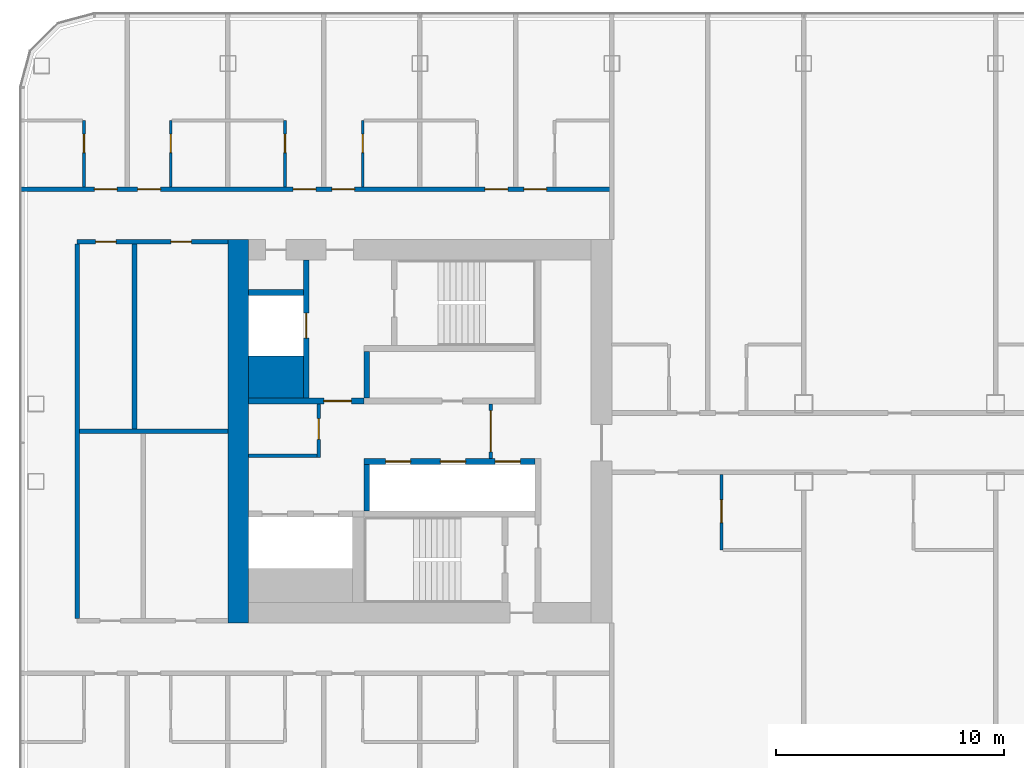
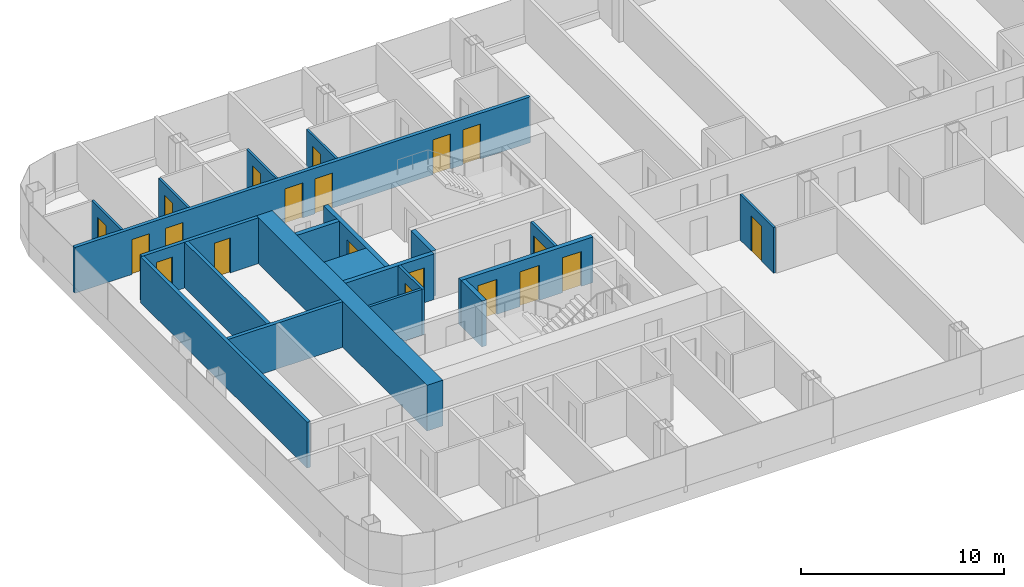
# One storey, part 13 of 26: 21 walls, 20 doors, 20 openings.
"""IFC4 building model written with IfcOpenShell, lengths in metres."""

import ifcopenshell
import ifcopenshell.guid

model = None  # the IFC model being written
_history = None  # IfcOwnerHistory: only IFC2X3 demands one
_inside = {}  # id of a spatial element -> (the spatial element, [elements in it])
_under = {}  # id of a project, library or spatial element -> (it, [spatial elements below it])
_declared = {}  # id of a project -> (the project, [libraries it declares])
_typed = {}  # id of a type object -> (the type object, [elements of that type])
_made_of = {}  # id of a material, layer set ... -> (it, [elements and type objects made of it])


def new_model(schema):
    """Start an empty IFC model of exactly this schema.

    Asked for "IFC4X3", IfcOpenShell would pick the latest addendum, in which some entities
    have other attributes; the version numbers below select the first issue.
    IFC2X3 requires an IfcOwnerHistory on every rooted entity: one is made here for all.
    """
    global model, _history
    if schema == "IFC4X3":
        model = ifcopenshell.file(schema_version=(4, 3, 0, 0))
    else:
        model = ifcopenshell.file(schema=schema)
    _inside.clear()
    _under.clear()
    _declared.clear()
    _typed.clear()
    _made_of.clear()
    _history = None
    if model.schema == "IFC2X3":
        org = make("IfcOrganization", Name="unknown")
        user = make(
            "IfcPersonAndOrganization",
            ThePerson=make("IfcPerson", FamilyName="unknown"),
            TheOrganization=org,
        )
        app = make(
            "IfcApplication",
            ApplicationDeveloper=org,
            Version="unknown",
            ApplicationFullName="unknown",
            ApplicationIdentifier="unknown",
        )
        _history = make(
            "IfcOwnerHistory",
            OwningUser=user,
            OwningApplication=app,
            ChangeAction="ADDED",
            CreationDate=0,
        )
    return model


def make(cls, **values):
    """One entity of the class cls with the attributes given. An attribute that is None is left unset."""
    return model.create_entity(
        cls, **{name: value for name, value in values.items() if value is not None}
    )


def rooted(cls, **values):
    """An entity with a GlobalId (a new one), such as an element, a storey or a relation."""
    return make(cls, GlobalId=ifcopenshell.guid.new(), OwnerHistory=_history, **values)


def si_unit(unit_type, name, prefix=None):
    """IfcSIUnit, for example si_unit("LENGTHUNIT", "METRE", prefix="MILLI")."""
    return make("IfcSIUnit", UnitType=unit_type, Prefix=prefix, Name=name)


def assignment(units):
    """IfcUnitAssignment: the units of a project."""
    return None if units is None else make("IfcUnitAssignment", Units=units)


def point(xyz):
    """IfcCartesianPoint."""
    return None if xyz is None else make("IfcCartesianPoint", Coordinates=xyz)


def direction(xyz):
    """IfcDirection."""
    return None if xyz is None else make("IfcDirection", DirectionRatios=xyz)


def frame(location, z_axis=None, x_axis=None):
    """IfcAxis2Placement3D, a coordinate frame: its origin and axes. An axis left out is left unset."""
    return make(
        "IfcAxis2Placement3D",
        Location=point(location),
        Axis=direction(z_axis),
        RefDirection=direction(x_axis),
    )


def frame_2d(location, x_axis=None):
    """IfcAxis2Placement2D, a coordinate frame in the plane: its origin and x axis."""
    return make(
        "IfcAxis2Placement2D", Location=point(location), RefDirection=direction(x_axis)
    )


def origin():
    """The frame at (0, 0, 0) with its axes left unset."""
    return frame((0.0, 0.0, 0.0))


def place(relative_to, where):
    """IfcLocalPlacement: puts the frame where relative to a parent placement (None: the world)."""
    return make(
        "IfcLocalPlacement", PlacementRelTo=relative_to, RelativePlacement=where
    )


def context(
    kind, dimensions, precision=None, world=None, true_north=None, identifier=None
):
    """IfcGeometricRepresentationContext, for example the 3D "Model" context."""
    return make(
        "IfcGeometricRepresentationContext",
        ContextIdentifier=identifier,
        ContextType=kind,
        CoordinateSpaceDimension=dimensions,
        Precision=precision,
        WorldCoordinateSystem=world,
        TrueNorth=true_north,
    )


def subcontext(parent, identifier, kind, view, scale=None):
    """IfcGeometricRepresentationSubContext, for example "Body" below "Model"."""
    return make(
        "IfcGeometricRepresentationSubContext",
        ContextIdentifier=identifier,
        ContextType=kind,
        ParentContext=parent,
        TargetScale=scale,
        TargetView=view,
    )


def project(units=None, contexts=None):
    """IfcProject with its units and contexts."""
    return rooted(
        "IfcProject",
        Name="project",
        RepresentationContexts=contexts,
        UnitsInContext=assignment(units),
    )


def spatial(cls, under=None, at=None, **own):
    """A site, building, storey or space (cls), placed at a placement, below another one or the project."""
    s = rooted(cls, ObjectPlacement=at, **own)
    if under is not None:
        _under.setdefault(under.id(), (under, []))[1].append(s)
    return s


def profile(cls, at=None, kind="AREA", **sizes):
    """A parametric profile (cls). Its sizes go by their IFC names, for example OverallWidth=200.0."""
    return make(cls, ProfileType=kind, Position=at, **sizes)


def rectangle(**sizes):
    """IfcRectangleProfileDef."""
    return profile("IfcRectangleProfileDef", **sizes)


def extrude(swept, where, along, depth):
    """IfcExtrudedAreaSolid: the profile swept, set in the frame where, extruded along a direction by depth."""
    return make(
        "IfcExtrudedAreaSolid",
        SweptArea=swept,
        Position=where,
        ExtrudedDirection=direction(along),
        Depth=depth,
    )


def shape(context_of_items, identifier, shape_type, items):
    """IfcShapeRepresentation: the items that make up one representation, for example the "Body"."""
    return make(
        "IfcShapeRepresentation",
        ContextOfItems=context_of_items,
        RepresentationIdentifier=identifier,
        RepresentationType=shape_type,
        Items=items,
    )


def material(Name=None, Category=None):
    """IfcMaterial."""
    return make("IfcMaterial", Name=Name, Category=Category)


def layer(
    of_material, thickness, ventilated=None, Name=None, Category=None, Priority=None
):
    """IfcMaterialLayer: one layer of a wall or slab, of a material (None: an air gap)."""
    return make(
        "IfcMaterialLayer",
        Material=of_material,
        LayerThickness=thickness,
        IsVentilated=ventilated,
        Name=Name,
        Category=Category,
        Priority=Priority,
    )


def layer_set(layers, Name=None):
    """IfcMaterialLayerSet."""
    return make("IfcMaterialLayerSet", MaterialLayers=layers, LayerSetName=Name)


def made_of(thing, what):
    """Note that an element or type object is made of a material, layer set ...; save() writes the relation."""
    if what is not None:
        _made_of.setdefault(what.id(), (what, []))[1].append(thing)
    return thing


def type_object(cls, material=None, **own):
    """A type object (cls), such as IfcWallType, which elements share."""
    return made_of(rooted(cls, **own), material)


def element(
    cls,
    number,
    at=None,
    inside=None,
    cuts=None,
    type_object=None,
    material=None,
    context=None,
    identifier="Body",
    shape_type=None,
    held_by="IfcProductDefinitionShape",
    body=None,
    shapes=None,
    **own,
):
    """One element of the class cls, such as IfcWall. Its Tag is "e" and its number.

    at: its placement. inside: the storey or other place that contains it. cuts: it is an
    opening in that element (IfcRelVoidsElement). A single representation is given by context,
    identifier, shape_type and body (its items); several are given by shapes. held_by: the class
    of the entity that holds the representations. save() writes the other relations.
    """
    e = rooted(cls, Tag="e%d" % number, ObjectPlacement=at, **own)
    if body is not None:
        shapes = [shape(context, identifier, shape_type, body)]
    if shapes is not None:
        e.Representation = make(held_by, Representations=shapes)
    if inside is not None:
        _inside.setdefault(inside.id(), (inside, []))[1].append(e)
    if cuts is not None:
        rooted(
            "IfcRelVoidsElement", RelatingBuildingElement=cuts, RelatedOpeningElement=e
        )
    if type_object is not None:
        _typed.setdefault(type_object.id(), (type_object, []))[1].append(e)
    return made_of(e, material)


def fill(opening, filler):
    """IfcRelFillsElement: the door or window that sits in an opening."""
    return rooted(
        "IfcRelFillsElement",
        RelatingOpeningElement=opening,
        RelatedBuildingElement=filler,
    )


def aggregate(whole, parts):
    """IfcRelAggregates: a whole, such as a stair, and the parts it consists of."""
    return rooted("IfcRelAggregates", RelatingObject=whole, RelatedObjects=parts)


def save(model, path):
    """Write the relations noted so far, then the file.

    IfcRelAggregates (storeys below a building ...), IfcRelContainedInSpatialStructure (elements
    in a storey), IfcRelDefinesByType, IfcRelAssociatesMaterial and IfcRelDeclares: one each for
    every whole, place, type object, material and project.
    """
    for whole, parts in _under.values():
        aggregate(whole, parts)
    for where, things in _inside.values():
        rooted(
            "IfcRelContainedInSpatialStructure",
            RelatedElements=things,
            RelatingStructure=where,
        )
    for kind, things in _typed.values():
        rooted("IfcRelDefinesByType", RelatedObjects=things, RelatingType=kind)
    for what, things in _made_of.values():
        rooted("IfcRelAssociatesMaterial", RelatedObjects=things, RelatingMaterial=what)
    for by, libraries in _declared.values():
        rooted("IfcRelDeclares", RelatingContext=by, RelatedDefinitions=libraries)
    model.write(path)


model = new_model("IFC4")

# Units and contexts
model_context = context("Model", 3, precision=1e-05, world=origin(), true_north=direction((0.0, 1.0)))
body_context = subcontext(model_context, "Body", "Model", "MODEL_VIEW")
ifc_project = project(units=[si_unit("LENGTHUNIT", "METRE"), si_unit("AREAUNIT", "SQUARE_METRE"), si_unit("VOLUMEUNIT", "CUBIC_METRE"), si_unit("PLANEANGLEUNIT", "RADIAN"), si_unit("MASSUNIT", "GRAM", prefix="KILO")], contexts=[model_context])

# Site, building, storey
site_placement = place(None, origin())
site = spatial("IfcSite", under=ifc_project, at=site_placement, CompositionType="ELEMENT")
building_placement = place(site_placement, origin())
building = spatial("IfcBuilding", under=site, at=building_placement, Name="Hakoniwa Tower and Hamabe Station Hall", CompositionType="ELEMENT")
storey_placement = place(building_placement, frame((0.0, 0.0, 134.199951171875)))
storey = spatial("IfcBuildingStorey", under=building, at=storey_placement, Name="L37", CompositionType="ELEMENT", Elevation=134.199951171875)

# Wall, opening, door
ifc_material_1 = material(Name="Gypsum board partition", Category="gypsum")
ifc_layer_1 = layer(ifc_material_1, 0.125)
ifc_layer_set_1 = layer_set([ifc_layer_1], Name="Bathroom Partition 125")
wall_type_1 = type_object("IfcWallType", Name="Bathroom Partition 125", PredefinedType="PARTITIONING", material=ifc_layer_set_1)
wall_1_placement = place(storey_placement, frame((-39.89990234375, 10.699951171875, 0.0), z_axis=(0.0, 0.0, 1.0), x_axis=(0.0, 1.0, 0.0)))
wall_1 = element("IfcWall", 1, at=wall_1_placement, inside=storey, type_object=wall_type_1, Name="GW-L37-036", PredefinedType="PARTITIONING", context=body_context, shape_type="SweptSolid", body=[
    extrude(rectangle(XDim=2.900146484375, YDim=0.125, at=frame_2d((1.4501953125, 0.0))), origin(), (0.0, 0.0, 1.0), 2.75),
])
opening_1_placement = place(wall_1_placement, frame((1.5, 0.0, 0.0)))
opening_1 = element("IfcOpeningElement", 2, at=opening_1_placement, cuts=wall_1, Name="Opening GD-G3B0-44", PredefinedType="OPENING", context=body_context, shape_type="SweptSolid", body=[
    extrude(rectangle(XDim=0.800048828125, YDim=2.10009765625, at=frame_2d((0.39990234375, 1.050048828125))), frame((0.0, 0.072509765625, 0.0), z_axis=(0.0, -1.0, 0.0), x_axis=(1.0, 0.0, 0.0)), (0.0, 0.0, 1.0), 0.14501953125),
])
ifc_material_2 = material(Name="Timber door leaf", Category="wood")
door_type_1 = type_object("IfcDoorType", Name="Bathroom Door 800", OperationType="SINGLE_SWING_LEFT", PredefinedType="DOOR", material=ifc_material_2)
door_1_placement = place(opening_1_placement, origin())
door_1 = element("IfcDoor", 3, at=door_1_placement, inside=storey, type_object=door_type_1, Name="Door GD-G3B0-44", OperationType="SINGLE_SWING_LEFT", OverallHeight=2.10009765625, OverallWidth=0.800048828125, PredefinedType="DOOR", context=body_context, shape_type="SweptSolid", body=[
    extrude(rectangle(XDim=0.800048828125, YDim=2.10009765625, at=frame_2d((0.39990234375, 1.050048828125))), frame((0.0, 0.02490234375, 0.0), z_axis=(0.0, -1.0, 0.0), x_axis=(1.0, 0.0, 0.0)), (0.0, 0.0, 1.0), 0.050048828125),
])
fill(opening_1, door_1)

wall_2_placement = place(storey_placement, frame((-36.10009765625, 10.699951171875, 0.0), z_axis=(0.0, 0.0, 1.0), x_axis=(0.0, 1.0, 0.0)))
wall_2 = element("IfcWall", 4, at=wall_2_placement, inside=storey, type_object=wall_type_1, Name="GW-L37-042", PredefinedType="PARTITIONING", context=body_context, shape_type="SweptSolid", body=[
    extrude(rectangle(XDim=2.900146484375, YDim=0.125, at=frame_2d((1.4501953125, 0.0))), origin(), (0.0, 0.0, 1.0), 2.75),
])
opening_2_placement = place(wall_2_placement, frame((1.5, 0.0, 0.0)))
opening_2 = element("IfcOpeningElement", 5, at=opening_2_placement, cuts=wall_2, Name="Opening GD-G3B0-46", PredefinedType="OPENING", context=body_context, shape_type="SweptSolid", body=[
    extrude(rectangle(XDim=0.800048828125, YDim=2.10009765625, at=frame_2d((0.39990234375, 1.050048828125))), frame((0.0, 0.072509765625, 0.0), z_axis=(0.0, -1.0, 0.0), x_axis=(1.0, 0.0, 0.0)), (0.0, 0.0, 1.0), 0.14501953125),
])
door_2_placement = place(opening_2_placement, origin())
door_2 = element("IfcDoor", 6, at=door_2_placement, inside=storey, type_object=door_type_1, Name="Door GD-G3B0-46", OperationType="SINGLE_SWING_RIGHT", OverallHeight=2.10009765625, OverallWidth=0.800048828125, PredefinedType="DOOR", context=body_context, shape_type="SweptSolid", body=[
    extrude(rectangle(XDim=0.800048828125, YDim=2.10009765625, at=frame_2d((0.39990234375, 1.050048828125))), frame((0.0, 0.02490234375, 0.0), z_axis=(0.0, -1.0, 0.0), x_axis=(1.0, 0.0, 0.0)), (0.0, 0.0, 1.0), 0.050048828125),
])
fill(opening_2, door_2)

wall_3_placement = place(storey_placement, frame((-31.10009765625, 10.699951171875, 0.0), z_axis=(0.0, 0.0, 1.0), x_axis=(0.0, 1.0, 0.0)))
wall_3 = element("IfcWall", 7, at=wall_3_placement, inside=storey, type_object=wall_type_1, Name="GW-L37-046", PredefinedType="PARTITIONING", context=body_context, shape_type="SweptSolid", body=[
    extrude(rectangle(XDim=2.900146484375, YDim=0.125, at=frame_2d((1.4501953125, 0.0))), origin(), (0.0, 0.0, 1.0), 2.75),
])
opening_3_placement = place(wall_3_placement, frame((1.5, 0.0, 0.0)))
opening_3 = element("IfcOpeningElement", 8, at=opening_3_placement, cuts=wall_3, Name="Opening GD-G3B0-48", PredefinedType="OPENING", context=body_context, shape_type="SweptSolid", body=[
    extrude(rectangle(XDim=0.800048828125, YDim=2.10009765625, at=frame_2d((0.39990234375, 1.050048828125))), frame((0.0, 0.072509765625, 0.0), z_axis=(0.0, -1.0, 0.0), x_axis=(1.0, 0.0, 0.0)), (0.0, 0.0, 1.0), 0.14501953125),
])
door_3_placement = place(opening_3_placement, origin())
door_3 = element("IfcDoor", 9, at=door_3_placement, inside=storey, type_object=door_type_1, Name="Door GD-G3B0-48", OperationType="SINGLE_SWING_LEFT", OverallHeight=2.10009765625, OverallWidth=0.800048828125, PredefinedType="DOOR", context=body_context, shape_type="SweptSolid", body=[
    extrude(rectangle(XDim=0.800048828125, YDim=2.10009765625, at=frame_2d((0.39990234375, 1.050048828125))), frame((0.0, 0.02490234375, 0.0), z_axis=(0.0, -1.0, 0.0), x_axis=(1.0, 0.0, 0.0)), (0.0, 0.0, 1.0), 0.050048828125),
])
fill(opening_3, door_3)

wall_4_placement = place(storey_placement, frame((-27.699951171875, 10.699951171875, 0.0), z_axis=(0.0, 0.0, 1.0), x_axis=(0.0, 1.0, 0.0)))
wall_4 = element("IfcWall", 10, at=wall_4_placement, inside=storey, type_object=wall_type_1, Name="GW-L37-050", PredefinedType="PARTITIONING", context=body_context, shape_type="SweptSolid", body=[
    extrude(rectangle(XDim=2.900146484375, YDim=0.125, at=frame_2d((1.4501953125, 0.0))), origin(), (0.0, 0.0, 1.0), 2.75),
])
opening_4_placement = place(wall_4_placement, frame((1.5, 0.0, 0.0)))
opening_4 = element("IfcOpeningElement", 11, at=opening_4_placement, cuts=wall_4, Name="Opening GD-G3B0-50", PredefinedType="OPENING", context=body_context, shape_type="SweptSolid", body=[
    extrude(rectangle(XDim=0.800048828125, YDim=2.10009765625, at=frame_2d((0.39990234375, 1.050048828125))), frame((0.0, 0.072509765625, 0.0), z_axis=(0.0, -1.0, 0.0), x_axis=(1.0, 0.0, 0.0)), (0.0, 0.0, 1.0), 0.14501953125),
])
door_4_placement = place(opening_4_placement, origin())
door_4 = element("IfcDoor", 12, at=door_4_placement, inside=storey, type_object=door_type_1, Name="Door GD-G3B0-50", OperationType="SINGLE_SWING_RIGHT", OverallHeight=2.10009765625, OverallWidth=0.800048828125, PredefinedType="DOOR", context=body_context, shape_type="SweptSolid", body=[
    extrude(rectangle(XDim=0.800048828125, YDim=2.10009765625, at=frame_2d((0.39990234375, 1.050048828125))), frame((0.0, 0.02490234375, 0.0), z_axis=(0.0, -1.0, 0.0), x_axis=(1.0, 0.0, 0.0)), (0.0, 0.0, 1.0), 0.050048828125),
])
fill(opening_4, door_4)

wall_5_placement = place(storey_placement, frame((-12.0, -5.199951171875, 0.0), z_axis=(0.0, 0.0, 1.0), x_axis=(0.0, 1.0, 0.0)))
wall_5 = element("IfcWall", 13, at=wall_5_placement, inside=storey, type_object=wall_type_1, Name="GW-L37-063", PredefinedType="PARTITIONING", context=body_context, shape_type="SweptSolid", body=[
    extrude(rectangle(XDim=3.300048828125, YDim=0.125, at=frame_2d((1.64990234375, 0.0))), origin(), (0.0, 0.0, 1.0), 2.75),
])
opening_5_placement = place(wall_5_placement, frame((1.199951171875, 0.0, 0.0)))
opening_5 = element("IfcOpeningElement", 14, at=opening_5_placement, cuts=wall_5, Name="Opening GD-G3B0-56", PredefinedType="OPENING", context=body_context, shape_type="SweptSolid", body=[
    extrude(rectangle(XDim=1.0, YDim=2.10009765625, at=frame_2d((0.5, 1.050048828125))), frame((0.0, 0.072509765625, 0.0), z_axis=(0.0, -1.0, 0.0), x_axis=(1.0, 0.0, 0.0)), (0.0, 0.0, 1.0), 0.14501953125),
])
ifc_material_3 = material(Name="Timber door leaf", Category="wood")
door_type_2 = type_object("IfcDoorType", Name="Accessible Bathroom Door 1000", OperationType="SINGLE_SWING_LEFT", PredefinedType="DOOR", material=ifc_material_3)
door_5_placement = place(opening_5_placement, origin())
door_5 = element("IfcDoor", 15, at=door_5_placement, inside=storey, type_object=door_type_2, Name="Door GD-G3B0-56", OperationType="SINGLE_SWING_LEFT", OverallHeight=2.10009765625, OverallWidth=1.0, PredefinedType="DOOR", context=body_context, shape_type="SweptSolid", body=[
    extrude(rectangle(XDim=1.0, YDim=2.10009765625, at=frame_2d((0.5, 1.050048828125))), frame((0.0, 0.02490234375, 0.0), z_axis=(0.0, -1.0, 0.0), x_axis=(1.0, 0.0, 0.0)), (0.0, 0.0, 1.0), 0.050048828125),
])
fill(opening_5, door_5)

ifc_material_4 = material(Name="Gypsum board partition")
ifc_layer_2 = layer(ifc_material_4, 0.14990234375)
ifc_layer_set_2 = layer_set([ifc_layer_2], Name="CORE PARTITION 150 EI 60")
wall_type_2 = type_object("IfcWallType", Name="CORE PARTITION 150 EI 60", PredefinedType="PARTITIONING", material=ifc_layer_set_2)
wall_6_placement = place(storey_placement, frame((-22.10009765625, -1.199951171875, 0.0), z_axis=(0.0, 0.0, 1.0), x_axis=(0.0, 1.0, 0.0)))
wall_6 = element("IfcWall", 16, at=wall_6_placement, inside=storey, type_object=wall_type_2, Name="Core partition PL0 west", PredefinedType="PARTITIONING", context=body_context, shape_type="SweptSolid", body=[
    extrude(rectangle(XDim=2.39990234375, YDim=0.14990234375, at=frame_2d((1.199951171875, 0.0))), origin(), (0.0, 0.0, 1.0), 2.75),
])
opening_6_placement = place(wall_6_placement, frame((0.300048828125, 0.0, 0.0)))
opening_6 = element("IfcOpeningElement", 17, at=opening_6_placement, cuts=wall_6, Name="Opening CD-W-LP0-18", PredefinedType="OPENING", context=body_context, shape_type="SweptSolid", body=[
    extrude(rectangle(XDim=1.800048828125, YDim=2.10009765625, at=frame_2d((0.89990234375, 1.050048828125))), frame((0.0, 0.0849609375, 0.0), z_axis=(0.0, -1.0, 0.0), x_axis=(1.0, 0.0, 0.0)), (0.0, 0.0, 1.0), 0.169921875),
])
ifc_material_5 = material(Name="Steel fire door", Category="steel")
door_type_3 = type_object("IfcDoorType", Name="CORE DOOR 1800 FD60", OperationType="DOUBLE_DOOR_SINGLE_SWING", PredefinedType="DOOR", material=ifc_material_5)
door_6_placement = place(opening_6_placement, origin())
door_6 = element("IfcDoor", 18, at=door_6_placement, inside=storey, type_object=door_type_3, Name="Lift lobby partition door", OperationType="DOUBLE_DOOR_SINGLE_SWING", OverallHeight=2.10009765625, OverallWidth=1.800048828125, PredefinedType="DOOR", context=body_context, shape_type="SweptSolid", body=[
    extrude(rectangle(XDim=1.800048828125, YDim=2.10009765625, at=frame_2d((0.89990234375, 1.050048828125))), frame((0.0, 0.02490234375, 0.0), z_axis=(0.0, -1.0, 0.0), x_axis=(1.0, 0.0, 0.0)), (0.0, 0.0, 1.0), 0.050048828125),
])
fill(opening_6, door_6)

wall_7_placement = place(storey_placement, frame((-29.625, -1.14990234375, 0.0), z_axis=(0.0, 0.0, 1.0), x_axis=(0.0, 1.0, 0.0)))
wall_7 = element("IfcWall", 19, at=wall_7_placement, inside=storey, type_object=wall_type_2, Name="Core partition PW0 west", PredefinedType="PARTITIONING", context=body_context, shape_type="SweptSolid", body=[
    extrude(rectangle(XDim=2.349853515625, YDim=0.14990234375, at=frame_2d((1.1748046875, 0.0))), origin(), (0.0, 0.0, 1.0), 2.75),
])
opening_7_placement = place(wall_7_placement, frame((0.800048828125, 0.0, 0.0)))
opening_7 = element("IfcOpeningElement", 20, at=opening_7_placement, cuts=wall_7, Name="Opening CD-W-RM1-9", PredefinedType="OPENING", context=body_context, shape_type="SweptSolid", body=[
    extrude(rectangle(XDim=0.89990234375, YDim=2.10009765625, at=frame_2d((0.449951171875, 1.050048828125))), frame((0.0, 0.0849609375, 0.0), z_axis=(0.0, -1.0, 0.0), x_axis=(1.0, 0.0, 0.0)), (0.0, 0.0, 1.0), 0.169921875),
])
ifc_material_6 = material(Name="Steel fire door", Category="steel")
door_type_4 = type_object("IfcDoorType", Name="CORE DOOR 900 FD30", OperationType="NOTDEFINED", PredefinedType="DOOR", material=ifc_material_6)
door_7_placement = place(opening_7_placement, origin())
door_7 = element("IfcDoor", 21, at=door_7_placement, inside=storey, type_object=door_type_4, Name="Store room door", OperationType="SINGLE_SWING_LEFT", OverallHeight=2.10009765625, OverallWidth=0.89990234375, PredefinedType="DOOR", context=body_context, shape_type="SweptSolid", body=[
    extrude(rectangle(XDim=0.89990234375, YDim=2.10009765625, at=frame_2d((0.449951171875, 1.050048828125))), frame((0.0, 0.02490234375, 0.0), z_axis=(0.0, -1.0, 0.0), x_axis=(1.0, 0.0, 0.0)), (0.0, 0.0, 1.0), 0.050048828125),
])
fill(opening_7, door_7)

# Walls
wall_8_placement = place(storey_placement, frame((-32.699951171875, -1.074951171875, 0.0), z_axis=(0.0, 0.0, 1.0), x_axis=(1.0, 0.0, 0.0)))
element("IfcWall", 22, at=wall_8_placement, inside=storey, type_object=wall_type_2, Name="Core partition PS west", PredefinedType="PARTITIONING", context=body_context, shape_type="SweptSolid", body=[
    extrude(rectangle(XDim=3.0, YDim=0.14990234375, at=frame_2d((1.5, 0.0))), origin(), (0.0, 0.0, 1.0), 2.75),
])
ifc_material_7 = material(Name="Concrete C66", Category="concrete")
ifc_layer_3 = layer(ifc_material_7, 0.89990234375)
ifc_layer_set_3 = layer_set([ifc_layer_3], Name="CORE WALL 900 C66")
wall_type_3 = type_object("IfcWallType", Name="CORE WALL 900 C66", PredefinedType="SHEAR", material=ifc_layer_set_3)
wall_9_placement = place(storey_placement, frame((-33.14990234375, -8.39990234375, 0.0), z_axis=(0.0, 0.0, 1.0), x_axis=(0.0, 1.0, 0.0)))
element("IfcWall", 23, at=wall_9_placement, inside=storey, type_object=wall_type_3, Name="Core wall OUTER west", PredefinedType="SHEAR", context=body_context, shape_type="SweptSolid", body=[
    extrude(rectangle(XDim=16.7998046875, YDim=0.89990234375, at=frame_2d((8.39990234375, 0.0))), origin(), (0.0, 0.0, 1.0), 2.75),
])
ifc_material_8 = material(Name="Concrete C66", Category="concrete")
ifc_layer_4 = layer(ifc_material_8, 1.85009765625)
ifc_layer_set_4 = layer_set([ifc_layer_4], Name="CORE WEB WALL 1850 C66")
wall_type_4 = type_object("IfcWallType", Name="CORE WEB WALL 1850 C66", PredefinedType="SHEAR", material=ifc_layer_set_4)
wall_10_placement = place(storey_placement, frame((-32.699951171875, 2.375, 0.0), z_axis=(0.0, 0.0, 1.0), x_axis=(1.0, 0.0, 0.0)))
element("IfcWall", 24, at=wall_10_placement, inside=storey, type_object=wall_type_4, Name="Core wall CA west", PredefinedType="SHEAR", context=body_context, shape_type="SweptSolid", body=[
    extrude(rectangle(XDim=2.39990234375, YDim=1.85009765625, at=frame_2d((1.199951171875, 0.0))), origin(), (0.0, 0.0, 1.0), 2.75),
])
ifc_material_9 = material(Name="Concrete C66", Category="concrete")
ifc_layer_5 = layer(ifc_material_9, 0.25)
ifc_layer_set_5 = layer_set([ifc_layer_5], Name="CORE WEB WALL 250 C66")
wall_type_5 = type_object("IfcWallType", Name="CORE WEB WALL 250 C66", PredefinedType="SHEAR", material=ifc_layer_set_5)
wall_11_placement = place(storey_placement, frame((-27.52490234375, 1.449951171875, 0.0), z_axis=(0.0, 0.0, 1.0), x_axis=(0.0, 1.0, 0.0)))
element("IfcWall", 25, at=wall_11_placement, inside=storey, type_object=wall_type_5, Name="Core wall NE west", PredefinedType="SHEAR", context=body_context, shape_type="SweptSolid", body=[
    extrude(rectangle(XDim=2.050048828125, YDim=0.25, at=frame_2d((1.02490234375, 0.0))), origin(), (0.0, 0.0, 1.0), 2.75),
])

# Wall, opening, door
wall_12_placement = place(storey_placement, frame((-32.699951171875, 1.324951171875, 0.0), z_axis=(0.0, 0.0, 1.0), x_axis=(1.0, 0.0, 0.0)))
wall_12 = element("IfcWall", 26, at=wall_12_placement, inside=storey, type_object=wall_type_5, Name="Core wall ELN west", PredefinedType="SHEAR", context=body_context, shape_type="SweptSolid", body=[
    extrude(rectangle(XDim=5.050048828125, YDim=0.25, at=frame_2d((2.52490234375, 0.0))), origin(), (0.0, 0.0, 1.0), 2.75),
])
opening_8_placement = place(wall_12_placement, frame((3.300048828125, 0.0, 0.0)))
opening_8 = element("IfcOpeningElement", 27, at=opening_8_placement, cuts=wall_12, Name="Opening CD-W-FL-12", PredefinedType="OPENING", context=body_context, shape_type="SweptSolid", body=[
    extrude(rectangle(XDim=1.199951171875, YDim=2.10009765625, at=frame_2d((0.60009765625, 1.050048828125))), frame((0.0, 0.135009765625, 0.0), z_axis=(0.0, -1.0, 0.0), x_axis=(1.0, 0.0, 0.0)), (0.0, 0.0, 1.0), 0.27001953125),
])
ifc_material_10 = material(Name="Steel fire door", Category="steel")
door_type_5 = type_object("IfcDoorType", Name="CORE DOOR 1200 FD60", OperationType="DOUBLE_DOOR_SINGLE_SWING", PredefinedType="DOOR", material=ifc_material_10)
door_8_placement = place(opening_8_placement, origin())
door_8 = element("IfcDoor", 28, at=door_8_placement, inside=storey, type_object=door_type_5, Name="Stair vestibule door to the fire-fighting lobby", OperationType="DOUBLE_DOOR_SINGLE_SWING", OverallHeight=2.10009765625, OverallWidth=1.199951171875, PredefinedType="DOOR", context=body_context, shape_type="SweptSolid", body=[
    extrude(rectangle(XDim=1.199951171875, YDim=2.10009765625, at=frame_2d((0.60009765625, 1.050048828125))), frame((0.0, 0.02490234375, 0.0), z_axis=(0.0, -1.0, 0.0), x_axis=(1.0, 0.0, 0.0)), (0.0, 0.0, 1.0), 0.050048828125),
])
fill(opening_8, door_8)

wall_13_placement = place(storey_placement, frame((-30.175048828125, 1.449951171875, 0.0), z_axis=(0.0, 0.0, 1.0), x_axis=(0.0, 1.0, 0.0)))
wall_13 = element("IfcWall", 29, at=wall_13_placement, inside=storey, type_object=wall_type_5, Name="Core wall FFF west", PredefinedType="SHEAR", context=body_context, shape_type="SweptSolid", body=[
    extrude(rectangle(XDim=6.050048828125, YDim=0.25, at=frame_2d((3.02490234375, 0.0))), origin(), (0.0, 0.0, 1.0), 2.75),
])
opening_9_placement = place(wall_13_placement, frame((2.625, 0.0, 0.0)))
opening_9 = element("IfcOpeningElement", 30, at=opening_9_placement, cuts=wall_13, Name="Opening LD-FF1", PredefinedType="OPENING", context=body_context, shape_type="SweptSolid", body=[
    extrude(rectangle(XDim=1.10009765625, YDim=2.10009765625, at=frame_2d((0.550048828125, 1.050048828125))), frame((0.0, 0.135009765625, 0.0), z_axis=(0.0, -1.0, 0.0), x_axis=(1.0, 0.0, 0.0)), (0.0, 0.0, 1.0), 0.27001953125),
])
ifc_material_11 = material(Name="Stainless steel SUS304", Category="steel")
door_type_6 = type_object("IfcDoorType", Name="LIFT LANDING DOOR 1100 FD60", OperationType="DOUBLE_DOOR_SLIDING", PredefinedType="DOOR", material=ifc_material_11)
door_9_placement = place(opening_9_placement, origin())
door_9 = element("IfcDoor", 31, at=door_9_placement, inside=storey, type_object=door_type_6, Name="Lift landing door FF1 L37", OperationType="DOUBLE_DOOR_SLIDING", OverallHeight=2.10009765625, OverallWidth=1.10009765625, PredefinedType="DOOR", context=body_context, shape_type="SweptSolid", body=[
    extrude(rectangle(XDim=1.10009765625, YDim=2.10009765625, at=frame_2d((0.550048828125, 1.050048828125))), frame((0.0, 0.02490234375, 0.0), z_axis=(0.0, -1.0, 0.0), x_axis=(1.0, 0.0, 0.0)), (0.0, 0.0, 1.0), 0.050048828125),
])
fill(opening_9, door_9)

# Wall
wall_14_placement = place(storey_placement, frame((-32.699951171875, 6.074951171875, 0.0), z_axis=(0.0, 0.0, 1.0), x_axis=(1.0, 0.0, 0.0)))
element("IfcWall", 32, at=wall_14_placement, inside=storey, type_object=wall_type_5, Name="Core wall C2 west", PredefinedType="SHEAR", context=body_context, shape_type="SweptSolid", body=[
    extrude(rectangle(XDim=2.39990234375, YDim=0.25, at=frame_2d((1.199951171875, 0.0))), origin(), (0.0, 0.0, 1.0), 2.75),
])

# Wall, openings, doors
wall_15_placement = place(storey_placement, frame((-27.64990234375, -1.324951171875, 0.0), z_axis=(0.0, 0.0, 1.0), x_axis=(1.0, 0.0, 0.0)))
wall_15 = element("IfcWall", 33, at=wall_15_placement, inside=storey, type_object=wall_type_5, Name="Core wall SF west", PredefinedType="SHEAR", context=body_context, shape_type="SweptSolid", body=[
    extrude(rectangle(XDim=7.5, YDim=0.25, at=frame_2d((3.75, 0.0))), origin(), (0.0, 0.0, 1.0), 2.75),
])
opening_10_placement = place(wall_15_placement, frame((5.75, 0.0, 0.0)))
opening_10 = element("IfcOpeningElement", 34, at=opening_10_placement, cuts=wall_15, Name="Opening LD-HR1", PredefinedType="OPENING", context=body_context, shape_type="SweptSolid", body=[
    extrude(rectangle(XDim=1.10009765625, YDim=2.10009765625, at=frame_2d((0.550048828125, 1.050048828125))), frame((0.0, 0.135009765625, 0.0), z_axis=(0.0, -1.0, 0.0), x_axis=(1.0, 0.0, 0.0)), (0.0, 0.0, 1.0), 0.27001953125),
])
opening_11_placement = place(wall_15_placement, frame((3.35009765625, 0.0, 0.0)))
opening_11 = element("IfcOpeningElement", 35, at=opening_11_placement, cuts=wall_15, Name="Opening LD-HR2", PredefinedType="OPENING", context=body_context, shape_type="SweptSolid", body=[
    extrude(rectangle(XDim=1.10009765625, YDim=2.10009765625, at=frame_2d((0.550048828125, 1.050048828125))), frame((0.0, 0.135009765625, 0.0), z_axis=(0.0, -1.0, 0.0), x_axis=(1.0, 0.0, 0.0)), (0.0, 0.0, 1.0), 0.27001953125),
])
opening_12_placement = place(wall_15_placement, frame((0.949951171875, 0.0, 0.0)))
opening_12 = element("IfcOpeningElement", 36, at=opening_12_placement, cuts=wall_15, Name="Opening LD-HR3", PredefinedType="OPENING", context=body_context, shape_type="SweptSolid", body=[
    extrude(rectangle(XDim=1.10009765625, YDim=2.10009765625, at=frame_2d((0.550048828125, 1.050048828125))), frame((0.0, 0.135009765625, 0.0), z_axis=(0.0, -1.0, 0.0), x_axis=(1.0, 0.0, 0.0)), (0.0, 0.0, 1.0), 0.27001953125),
])
door_10_placement = place(opening_10_placement, origin())
door_10 = element("IfcDoor", 37, at=door_10_placement, inside=storey, type_object=door_type_6, Name="Lift landing door HR1 L37", OperationType="DOUBLE_DOOR_SLIDING", OverallHeight=2.10009765625, OverallWidth=1.10009765625, PredefinedType="DOOR", context=body_context, shape_type="SweptSolid", body=[
    extrude(rectangle(XDim=1.10009765625, YDim=2.10009765625, at=frame_2d((0.550048828125, 1.050048828125))), frame((0.0, 0.02490234375, 0.0), z_axis=(0.0, -1.0, 0.0), x_axis=(1.0, 0.0, 0.0)), (0.0, 0.0, 1.0), 0.050048828125),
])
fill(opening_10, door_10)
door_11_placement = place(opening_11_placement, origin())
door_11 = element("IfcDoor", 38, at=door_11_placement, inside=storey, type_object=door_type_6, Name="Lift landing door HR2 L37", OperationType="DOUBLE_DOOR_SLIDING", OverallHeight=2.10009765625, OverallWidth=1.10009765625, PredefinedType="DOOR", context=body_context, shape_type="SweptSolid", body=[
    extrude(rectangle(XDim=1.10009765625, YDim=2.10009765625, at=frame_2d((0.550048828125, 1.050048828125))), frame((0.0, 0.02490234375, 0.0), z_axis=(0.0, -1.0, 0.0), x_axis=(1.0, 0.0, 0.0)), (0.0, 0.0, 1.0), 0.050048828125),
])
fill(opening_11, door_11)
door_12_placement = place(opening_12_placement, origin())
door_12 = element("IfcDoor", 39, at=door_12_placement, inside=storey, type_object=door_type_6, Name="Lift landing door HR3 L37", OperationType="DOUBLE_DOOR_SLIDING", OverallHeight=2.10009765625, OverallWidth=1.10009765625, PredefinedType="DOOR", context=body_context, shape_type="SweptSolid", body=[
    extrude(rectangle(XDim=1.10009765625, YDim=2.10009765625, at=frame_2d((0.550048828125, 1.050048828125))), frame((0.0, 0.02490234375, 0.0), z_axis=(0.0, -1.0, 0.0), x_axis=(1.0, 0.0, 0.0)), (0.0, 0.0, 1.0), 0.050048828125),
])
fill(opening_12, door_12)

# Wall
wall_16_placement = place(storey_placement, frame((-27.52490234375, -3.5, 0.0), z_axis=(0.0, 0.0, 1.0), x_axis=(0.0, 1.0, 0.0)))
element("IfcWall", 40, at=wall_16_placement, inside=storey, type_object=wall_type_5, Name="Core wall SE west", PredefinedType="SHEAR", context=body_context, shape_type="SweptSolid", body=[
    extrude(rectangle(XDim=2.050048828125, YDim=0.25, at=frame_2d((1.02490234375, 0.0))), origin(), (0.0, 0.0, 1.0), 2.75),
])

# Wall, openings, doors
ifc_material_12 = material(Name="Fire-rated gypsum board partition", Category="gypsum")
ifc_layer_6 = layer(ifc_material_12, 0.199951171875)
ifc_layer_set_6 = layer_set([ifc_layer_6], Name="Corridor Wall 200")
wall_type_6 = type_object("IfcWallType", Name="Corridor Wall 200", PredefinedType="PARTITIONING", material=ifc_layer_set_6)
wall_17_placement = place(storey_placement, frame((-40.199951171875, 8.300048828125, 0.0), z_axis=(0.0, 0.0, 1.0), x_axis=(1.0, 0.0, 0.0)))
wall_17 = element("IfcWall", 41, at=wall_17_placement, inside=storey, type_object=wall_type_6, Name="GW-L37-026", PredefinedType="PARTITIONING", context=body_context, shape_type="SweptSolid", body=[
    extrude(rectangle(XDim=6.599853515625, YDim=0.199951171875, at=frame_2d((3.2998046875, 0.0))), origin(), (0.0, 0.0, 1.0), 2.75),
])
opening_13_placement = place(wall_17_placement, frame((0.804931640625, 0.0, 0.0)))
opening_13 = element("IfcOpeningElement", 42, at=opening_13_placement, cuts=wall_17, Name="Opening GD-G3B0-30", PredefinedType="OPENING", context=body_context, shape_type="SweptSolid", body=[
    extrude(rectangle(XDim=0.89990234375, YDim=2.10009765625, at=frame_2d((0.449951171875, 1.050048828125))), frame((0.0, 0.10986328125, 0.0), z_axis=(0.0, -1.0, 0.0), x_axis=(1.0, 0.0, 0.0)), (0.0, 0.0, 1.0), 0.219970703125),
])
opening_14_placement = place(wall_17_placement, frame((4.10498046875, 0.0, 0.0)))
opening_14 = element("IfcOpeningElement", 43, at=opening_14_placement, cuts=wall_17, Name="Opening GD-G3B0-31", PredefinedType="OPENING", context=body_context, shape_type="SweptSolid", body=[
    extrude(rectangle(XDim=0.89990234375, YDim=2.10009765625, at=frame_2d((0.449951171875, 1.050048828125))), frame((0.0, 0.10986328125, 0.0), z_axis=(0.0, -1.0, 0.0), x_axis=(1.0, 0.0, 0.0)), (0.0, 0.0, 1.0), 0.219970703125),
])
ifc_material_13 = material(Name="Timber door leaf", Category="wood")
door_type_7 = type_object("IfcDoorType", Name="Service Door 900", OperationType="SINGLE_SWING_LEFT", PredefinedType="DOOR", material=ifc_material_13)
door_13_placement = place(opening_13_placement, origin())
door_13 = element("IfcDoor", 44, at=door_13_placement, inside=storey, type_object=door_type_7, Name="Door GD-G3B0-30", OperationType="SINGLE_SWING_LEFT", OverallHeight=2.10009765625, OverallWidth=0.89990234375, PredefinedType="DOOR", context=body_context, shape_type="SweptSolid", body=[
    extrude(rectangle(XDim=0.89990234375, YDim=2.10009765625, at=frame_2d((0.449951171875, 1.050048828125))), frame((0.0, 0.02490234375, 0.0), z_axis=(0.0, -1.0, 0.0), x_axis=(1.0, 0.0, 0.0)), (0.0, 0.0, 1.0), 0.050048828125),
])
fill(opening_13, door_13)
door_14_placement = place(opening_14_placement, origin())
door_14 = element("IfcDoor", 45, at=door_14_placement, inside=storey, type_object=door_type_7, Name="Door GD-G3B0-31", OperationType="SINGLE_SWING_LEFT", OverallHeight=2.10009765625, OverallWidth=0.89990234375, PredefinedType="DOOR", context=body_context, shape_type="SweptSolid", body=[
    extrude(rectangle(XDim=0.89990234375, YDim=2.10009765625, at=frame_2d((0.449951171875, 1.050048828125))), frame((0.0, 0.02490234375, 0.0), z_axis=(0.0, -1.0, 0.0), x_axis=(1.0, 0.0, 0.0)), (0.0, 0.0, 1.0), 0.050048828125),
])
fill(opening_14, door_14)

wall_18_placement = place(storey_placement, frame((-42.699951171875, 10.60009765625, 0.0), z_axis=(0.0, 0.0, 1.0), x_axis=(1.0, 0.0, 0.0)))
wall_18 = element("IfcWall", 46, at=wall_18_placement, inside=storey, type_object=wall_type_6, Name="GW-L37-028", PredefinedType="PARTITIONING", context=body_context, shape_type="SweptSolid", body=[
    extrude(rectangle(XDim=25.89990234375, YDim=0.199951171875, at=frame_2d((12.949951171875, 0.0))), origin(), (0.0, 0.0, 1.0), 2.75),
])
opening_15_placement = place(wall_18_placement, frame((3.25, 0.0, 0.0)))
opening_15 = element("IfcOpeningElement", 47, at=opening_15_placement, cuts=wall_18, Name="Opening GD-G3B0-34", PredefinedType="OPENING", context=body_context, shape_type="SweptSolid", body=[
    extrude(rectangle(XDim=1.0, YDim=2.10009765625, at=frame_2d((0.5, 1.050048828125))), frame((0.0, 0.10986328125, 0.0), z_axis=(0.0, -1.0, 0.0), x_axis=(1.0, 0.0, 0.0)), (0.0, 0.0, 1.0), 0.219970703125),
])
opening_16_placement = place(wall_18_placement, frame((5.14990234375, 0.0, 0.0)))
opening_16 = element("IfcOpeningElement", 48, at=opening_16_placement, cuts=wall_18, Name="Opening GD-G3B0-35", PredefinedType="OPENING", context=body_context, shape_type="SweptSolid", body=[
    extrude(rectangle(XDim=1.0, YDim=2.10009765625, at=frame_2d((0.5, 1.050048828125))), frame((0.0, 0.10986328125, 0.0), z_axis=(0.0, -1.0, 0.0), x_axis=(1.0, 0.0, 0.0)), (0.0, 0.0, 1.0), 0.219970703125),
])
opening_17_placement = place(wall_18_placement, frame((11.949951171875, 0.0, 0.0)))
opening_17 = element("IfcOpeningElement", 49, at=opening_17_placement, cuts=wall_18, Name="Opening GD-G3B0-36", PredefinedType="OPENING", context=body_context, shape_type="SweptSolid", body=[
    extrude(rectangle(XDim=1.0, YDim=2.10009765625, at=frame_2d((0.5, 1.050048828125))), frame((0.0, 0.10986328125, 0.0), z_axis=(0.0, -1.0, 0.0), x_axis=(1.0, 0.0, 0.0)), (0.0, 0.0, 1.0), 0.219970703125),
])
opening_18_placement = place(wall_18_placement, frame((13.64990234375, 0.0, 0.0)))
opening_18 = element("IfcOpeningElement", 50, at=opening_18_placement, cuts=wall_18, Name="Opening GD-G3B0-37", PredefinedType="OPENING", context=body_context, shape_type="SweptSolid", body=[
    extrude(rectangle(XDim=1.0, YDim=2.10009765625, at=frame_2d((0.5, 1.050048828125))), frame((0.0, 0.10986328125, 0.0), z_axis=(0.0, -1.0, 0.0), x_axis=(1.0, 0.0, 0.0)), (0.0, 0.0, 1.0), 0.219970703125),
])
opening_19_placement = place(wall_18_placement, frame((20.35009765625, 0.0, 0.0)))
opening_19 = element("IfcOpeningElement", 51, at=opening_19_placement, cuts=wall_18, Name="Opening GD-G3B0-38", PredefinedType="OPENING", context=body_context, shape_type="SweptSolid", body=[
    extrude(rectangle(XDim=1.0, YDim=2.10009765625, at=frame_2d((0.5, 1.050048828125))), frame((0.0, 0.10986328125, 0.0), z_axis=(0.0, -1.0, 0.0), x_axis=(1.0, 0.0, 0.0)), (0.0, 0.0, 1.0), 0.219970703125),
])
opening_20_placement = place(wall_18_placement, frame((22.050048828125, 0.0, 0.0)))
opening_20 = element("IfcOpeningElement", 52, at=opening_20_placement, cuts=wall_18, Name="Opening GD-G3B0-39", PredefinedType="OPENING", context=body_context, shape_type="SweptSolid", body=[
    extrude(rectangle(XDim=1.0, YDim=2.10009765625, at=frame_2d((0.5, 1.050048828125))), frame((0.0, 0.10986328125, 0.0), z_axis=(0.0, -1.0, 0.0), x_axis=(1.0, 0.0, 0.0)), (0.0, 0.0, 1.0), 0.219970703125),
])
ifc_material_14 = material(Name="Timber door leaf", Category="wood")
door_type_8 = type_object("IfcDoorType", Name="Guest Entrance Door 1000", OperationType="SINGLE_SWING_LEFT", PredefinedType="DOOR", material=ifc_material_14)
door_15_placement = place(opening_15_placement, origin())
door_15 = element("IfcDoor", 53, at=door_15_placement, inside=storey, type_object=door_type_8, Name="Door GD-G3B0-34", OperationType="SINGLE_SWING_RIGHT", OverallHeight=2.10009765625, OverallWidth=1.0, PredefinedType="DOOR", context=body_context, shape_type="SweptSolid", body=[
    extrude(rectangle(XDim=1.0, YDim=2.10009765625, at=frame_2d((0.5, 1.050048828125))), frame((0.0, 0.02490234375, 0.0), z_axis=(0.0, -1.0, 0.0), x_axis=(1.0, 0.0, 0.0)), (0.0, 0.0, 1.0), 0.050048828125),
])
fill(opening_15, door_15)
door_16_placement = place(opening_16_placement, origin())
door_16 = element("IfcDoor", 54, at=door_16_placement, inside=storey, type_object=door_type_8, Name="Door GD-G3B0-35", OperationType="SINGLE_SWING_LEFT", OverallHeight=2.10009765625, OverallWidth=1.0, PredefinedType="DOOR", context=body_context, shape_type="SweptSolid", body=[
    extrude(rectangle(XDim=1.0, YDim=2.10009765625, at=frame_2d((0.5, 1.050048828125))), frame((0.0, 0.02490234375, 0.0), z_axis=(0.0, -1.0, 0.0), x_axis=(1.0, 0.0, 0.0)), (0.0, 0.0, 1.0), 0.050048828125),
])
fill(opening_16, door_16)
door_17_placement = place(opening_17_placement, origin())
door_17 = element("IfcDoor", 55, at=door_17_placement, inside=storey, type_object=door_type_8, Name="Door GD-G3B0-36", OperationType="SINGLE_SWING_RIGHT", OverallHeight=2.10009765625, OverallWidth=1.0, PredefinedType="DOOR", context=body_context, shape_type="SweptSolid", body=[
    extrude(rectangle(XDim=1.0, YDim=2.10009765625, at=frame_2d((0.5, 1.050048828125))), frame((0.0, 0.02490234375, 0.0), z_axis=(0.0, -1.0, 0.0), x_axis=(1.0, 0.0, 0.0)), (0.0, 0.0, 1.0), 0.050048828125),
])
fill(opening_17, door_17)
door_18_placement = place(opening_18_placement, origin())
door_18 = element("IfcDoor", 56, at=door_18_placement, inside=storey, type_object=door_type_8, Name="Door GD-G3B0-37", OperationType="SINGLE_SWING_LEFT", OverallHeight=2.10009765625, OverallWidth=1.0, PredefinedType="DOOR", context=body_context, shape_type="SweptSolid", body=[
    extrude(rectangle(XDim=1.0, YDim=2.10009765625, at=frame_2d((0.5, 1.050048828125))), frame((0.0, 0.02490234375, 0.0), z_axis=(0.0, -1.0, 0.0), x_axis=(1.0, 0.0, 0.0)), (0.0, 0.0, 1.0), 0.050048828125),
])
fill(opening_18, door_18)
door_19_placement = place(opening_19_placement, origin())
door_19 = element("IfcDoor", 57, at=door_19_placement, inside=storey, type_object=door_type_8, Name="Door GD-G3B0-38", OperationType="SINGLE_SWING_RIGHT", OverallHeight=2.10009765625, OverallWidth=1.0, PredefinedType="DOOR", context=body_context, shape_type="SweptSolid", body=[
    extrude(rectangle(XDim=1.0, YDim=2.10009765625, at=frame_2d((0.5, 1.050048828125))), frame((0.0, 0.02490234375, 0.0), z_axis=(0.0, -1.0, 0.0), x_axis=(1.0, 0.0, 0.0)), (0.0, 0.0, 1.0), 0.050048828125),
])
fill(opening_19, door_19)
door_20_placement = place(opening_20_placement, origin())
door_20 = element("IfcDoor", 58, at=door_20_placement, inside=storey, type_object=door_type_8, Name="Door GD-G3B0-39", OperationType="SINGLE_SWING_LEFT", OverallHeight=2.10009765625, OverallWidth=1.0, PredefinedType="DOOR", context=body_context, shape_type="SweptSolid", body=[
    extrude(rectangle(XDim=1.0, YDim=2.10009765625, at=frame_2d((0.5, 1.050048828125))), frame((0.0, 0.02490234375, 0.0), z_axis=(0.0, -1.0, 0.0), x_axis=(1.0, 0.0, 0.0)), (0.0, 0.0, 1.0), 0.050048828125),
])
fill(opening_20, door_20)

# Walls
ifc_material_15 = material(Name="Fire-rated gypsum board partition", Category="gypsum")
ifc_layer_7 = layer(ifc_material_15, 0.199951171875)
ifc_layer_set_7 = layer_set([ifc_layer_7], Name="Party Wall 200")
wall_type_7 = type_object("IfcWallType", Name="Party Wall 200", PredefinedType="PARTITIONING", material=ifc_layer_set_7)
wall_19_placement = place(storey_placement, frame((-40.10009765625, 0.0, 0.0), z_axis=(0.0, 0.0, 1.0), x_axis=(1.0, 0.0, 0.0)))
element("IfcWall", 59, at=wall_19_placement, inside=storey, type_object=wall_type_7, Name="GW-L37-018", PredefinedType="PARTITIONING", context=body_context, shape_type="SweptSolid", body=[
    extrude(rectangle(XDim=6.5, YDim=0.199951171875, at=frame_2d((3.25, 0.0))), origin(), (0.0, 0.0, 1.0), 2.75),
])
wall_20_placement = place(storey_placement, frame((-40.199951171875, -8.199951171875, 0.0), z_axis=(0.0, 0.0, 1.0), x_axis=(0.0, 1.0, 0.0)))
element("IfcWall", 60, at=wall_20_placement, inside=storey, type_object=wall_type_7, Name="GW-L37-034", PredefinedType="PARTITIONING", context=body_context, shape_type="SweptSolid", body=[
    extrude(rectangle(XDim=16.39990234375, YDim=0.199951171875, at=frame_2d((8.199951171875, 0.0))), origin(), (0.0, 0.0, 1.0), 2.75),
])
wall_21_placement = place(storey_placement, frame((-37.68994140625, 0.0, 0.0), z_axis=(0.0, 0.0, 1.0), x_axis=(0.0, 1.0, 0.0)))
element("IfcWall", 61, at=wall_21_placement, inside=storey, type_object=wall_type_7, Name="GW-L37-039", PredefinedType="PARTITIONING", context=body_context, shape_type="SweptSolid", body=[
    extrude(rectangle(XDim=8.199951171875, YDim=0.199951171875, at=frame_2d((4.10009765625, 0.0))), origin(), (0.0, 0.0, 1.0), 2.75),
])

save(model, "model.ifc")
